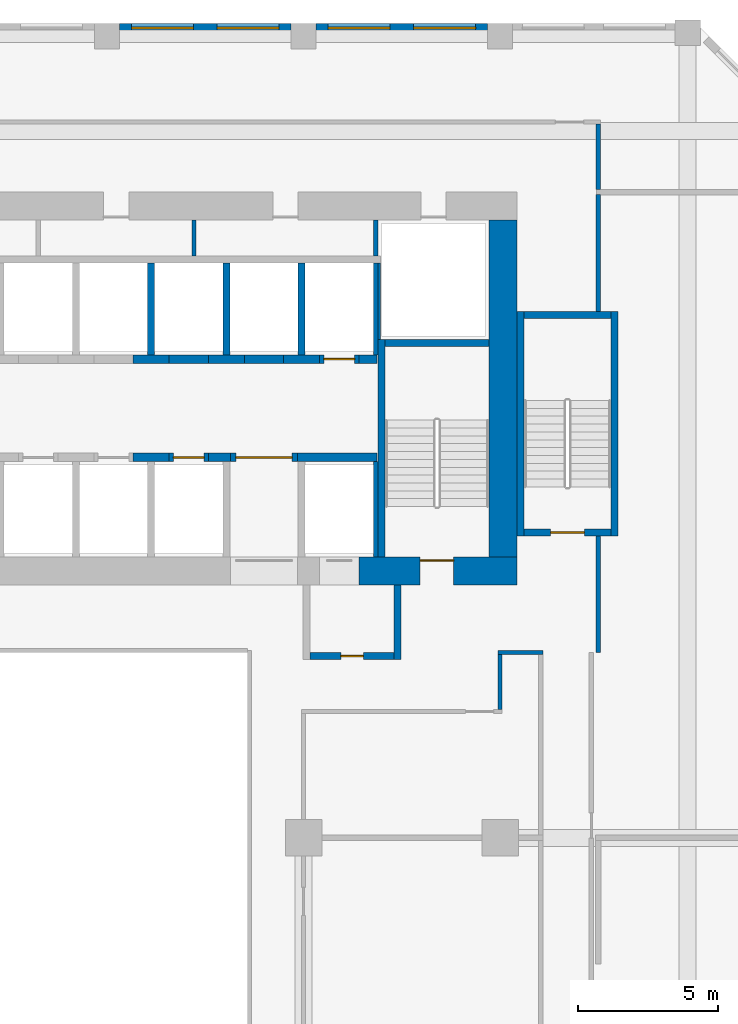
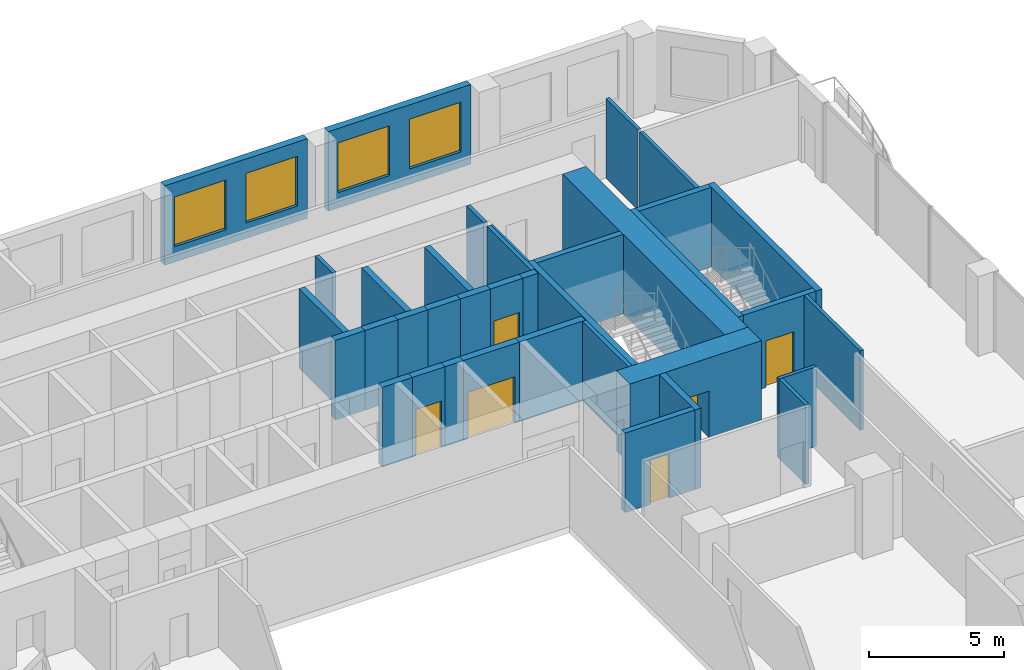
# One storey, part 17 of 23: 37 walls, 6 doors, 4 windows, 10 openings.
"""IFC4 building model written with IfcOpenShell, lengths in metres."""

from ifc_helpers import new_model, si_unit, direction, frame, frame_2d, origin, place, context, subcontext, project, spatial, rectangle, extrude, source, transform, mapped, material, layer, layer_set, type_object, element, fill, save


model = new_model("IFC4")

# Units and contexts
model_context = context("Model", 3, precision=1e-05, world=origin(), true_north=direction((0.0, 1.0)))
body_context = subcontext(model_context, "Body", "Model", "MODEL_VIEW")
ifc_project = project(units=[si_unit("LENGTHUNIT", "METRE"), si_unit("AREAUNIT", "SQUARE_METRE"), si_unit("VOLUMEUNIT", "CUBIC_METRE"), si_unit("PLANEANGLEUNIT", "RADIAN"), si_unit("MASSUNIT", "GRAM", prefix="KILO")], contexts=[model_context])

# Site, building, storey
site_placement = place(None, origin())
site = spatial("IfcSite", under=ifc_project, at=site_placement, CompositionType="ELEMENT")
building_placement = place(site_placement, origin())
building = spatial("IfcBuilding", under=site, at=building_placement, Name="Kilnfold Tower and Market Hall", CompositionType="ELEMENT")
storey_placement = place(building_placement, frame((0.0, 0.0, 55.0)))
storey = spatial("IfcBuildingStorey", under=building, at=storey_placement, Name="L12", CompositionType="ELEMENT", Elevation=55.0)

# Walls
ifc_material_1 = material(Name="Gypsum board on steel studs", Category="steel")
ifc_layer_1 = layer(ifc_material_1, 0.14990234375)
ifc_layer_set_1 = layer_set([ifc_layer_1], Name="Gypsum board on steel studs")
wall_type_1 = type_object("IfcWallType", Name="WALL CORRIDOR 150", PredefinedType="PARTITIONING", material=ifc_layer_set_1)
wall_1_placement = place(storey_placement, frame((17.425048828125, 5.60009765625, 0.0), z_axis=(0.0, 0.0, 1.0), x_axis=(1.0, 0.0, 0.0)))
element("IfcWall", 1, at=wall_1_placement, inside=storey, type_object=wall_type_1, Name="Partition LY10.34", PredefinedType="PARTITIONING", context=body_context, shape_type="SweptSolid", body=[
    extrude(rectangle(XDim=1.599853515625, YDim=0.14990234375, at=frame_2d((0.7998046875, 0.0))), origin(), (0.0, 0.0, 1.0), 3.60009765625),
])
wall_2_placement = place(storey_placement, frame((17.5, 3.574951171875, 0.0), z_axis=(0.0, 0.0, 1.0), x_axis=(0.0, 1.0, 0.0)))
element("IfcWall", 2, at=wall_2_placement, inside=storey, type_object=wall_type_1, Name="Partition LY10.35", PredefinedType="PARTITIONING", context=body_context, shape_type="SweptSolid", body=[
    extrude(rectangle(XDim=1.949951171875, YDim=0.14990234375, at=frame_2d((0.97509765625, 0.0))), origin(), (0.0, 0.0, 1.0), 3.60009765625),
])
wall_3_placement = place(storey_placement, frame((21.0, 17.75, 0.0), z_axis=(0.0, 0.0, 1.0), x_axis=(0.0, 1.0, 0.0)))
element("IfcWall", 3, at=wall_3_placement, inside=storey, type_object=wall_type_1, Name="Partition LY10.37", PredefinedType="PARTITIONING", context=body_context, shape_type="SweptSolid", body=[
    extrude(rectangle(XDim=4.159912109375, YDim=0.14990234375, at=frame_2d((2.080078125, 0.0))), origin(), (0.0, 0.0, 1.0), 3.60009765625),
])
wall_4_placement = place(storey_placement, frame((21.0, 5.60009765625, 0.0), z_axis=(0.0, 0.0, 1.0), x_axis=(0.0, 1.0, 0.0)))
element("IfcWall", 4, at=wall_4_placement, inside=storey, type_object=wall_type_1, Name="Partition LY10.38", PredefinedType="PARTITIONING", context=body_context, shape_type="SweptSolid", body=[
    extrude(rectangle(XDim=4.14990234375, YDim=0.14990234375, at=frame_2d((2.074951171875, 0.0))), origin(), (0.0, 0.0, 1.0), 3.60009765625),
])
wall_5_placement = place(storey_placement, frame((21.0, 22.090087890625, 0.0), z_axis=(0.0, 0.0, 1.0), x_axis=(0.0, 1.0, 0.0)))
element("IfcWall", 5, at=wall_5_placement, inside=storey, type_object=wall_type_1, Name="Partition LY10.39", PredefinedType="PARTITIONING", context=body_context, shape_type="SweptSolid", body=[
    extrude(rectangle(XDim=2.3349609375, YDim=0.14990234375, at=frame_2d((1.16748046875, 0.0))), origin(), (0.0, 0.0, 1.0), 3.60009765625),
])

# Wall, opening, door
ifc_material_2 = material(Name="Concrete C80", Category="concrete")
ifc_layer_2 = layer(ifc_material_2, 1.0)
ifc_layer_set_2 = layer_set([ifc_layer_2], Name="Concrete C80")
wall_type_2 = type_object("IfcWallType", Name="CORE WALL 1000 C80", PredefinedType="SHEAR", material=ifc_layer_set_2)
shared_shape_1 = source(origin(), body_context, "Body", "SweptSolid", [
    extrude(rectangle(XDim=5.630126953125, YDim=1.0, at=frame_2d((2.81494140625, 0.0))), origin(), (0.0, 0.0, 1.0), 3.60009765625),
])
wall_6_placement = place(storey_placement, frame((12.469970703125, 8.5, 0.0), z_axis=(0.0, 0.0, 1.0), x_axis=(1.0, 0.0, 0.0)))
wall_6 = element("IfcWall", 6, at=wall_6_placement, inside=storey, type_object=wall_type_2, Name="Core outer wall south", PredefinedType="SHEAR", context=body_context, shape_type="MappedRepresentation", body=[
    mapped(shared_shape_1, transform((0.0, 0.0, 0.0))),
])
opening_1_placement = place(wall_6_placement, frame((2.179931640625, 0.0, 0.0)))
opening_1 = element("IfcOpeningElement", 7, at=opening_1_placement, cuts=wall_6, Name="Opening SD1", PredefinedType="OPENING", context=body_context, shape_type="SweptSolid", body=[
    extrude(rectangle(XDim=1.199951171875, YDim=2.10009765625, at=frame_2d((0.60009765625, 1.050048828125))), frame((0.0, 0.510009765625, 0.0), z_axis=(0.0, -1.0, 0.0), x_axis=(1.0, 0.0, 0.0)), (0.0, 0.0, 1.0), 1.02001953125),
])
ifc_material_3 = material(Name="Steel door set with fire-resisting leaf", Category="steel")
door_type_1 = type_object("IfcDoorType", Name="STAIR FLOOR DOOR 1200X2100", OperationType="NOTDEFINED", PredefinedType="DOOR", material=ifc_material_3)
door_1_placement = place(opening_1_placement, origin())
door_1 = element("IfcDoor", 8, at=door_1_placement, inside=storey, type_object=door_type_1, Name="Exit stair ST2 door", OperationType="DOUBLE_DOOR_SINGLE_SWING", OverallHeight=2.10009765625, OverallWidth=1.199951171875, PredefinedType="DOOR", context=body_context, shape_type="SweptSolid", body=[
    extrude(rectangle(XDim=1.199951171875, YDim=2.10009765625, at=frame_2d((0.60009765625, 1.050048828125))), frame((0.0, 0.40478515625, 0.0), z_axis=(0.0, -1.0, 0.0), x_axis=(1.0, 0.0, 0.0)), (0.0, 0.0, 1.0), 0.050048828125),
])
fill(opening_1, door_1)

# Walls
shared_shape_2 = source(origin(), body_context, "Body", "SweptSolid", [
    extrude(rectangle(XDim=12.0, YDim=1.0, at=frame_2d((6.0, 0.0))), origin(), (0.0, 0.0, 1.0), 3.60009765625),
])
wall_7_placement = place(storey_placement, frame((17.60009765625, 9.0, 0.0), z_axis=(0.0, 0.0, 1.0), x_axis=(0.0, 1.0, 0.0)))
element("IfcWall", 9, at=wall_7_placement, inside=storey, type_object=wall_type_2, Name="Core outer wall east", PredefinedType="SHEAR", context=body_context, shape_type="MappedRepresentation", body=[
    mapped(shared_shape_2, transform((0.0, 0.0, 0.0))),
])
ifc_material_4 = material(Name="Concrete C80", Category="concrete")
ifc_layer_3 = layer(ifc_material_4, 0.25)
ifc_layer_set_3 = layer_set([ifc_layer_3], Name="Concrete C80")
wall_type_3 = type_object("IfcWallType", Name="CORE WALL 250 C80", PredefinedType="SHEAR", material=ifc_layer_set_3)
shared_shape_3 = source(origin(), body_context, "Body", "SweptSolid", [
    extrude(rectangle(XDim=7.75, YDim=0.25, at=frame_2d((3.875, 0.0))), origin(), (0.0, 0.0, 1.0), 3.60009765625),
])
wall_8_placement = place(storey_placement, frame((13.27490234375, 9.0, 0.0), z_axis=(0.0, 0.0, 1.0), x_axis=(0.0, 1.0, 0.0)))
element("IfcWall", 10, at=wall_8_placement, inside=storey, type_object=wall_type_3, Name="Stair enclosure ST2", PredefinedType="SHEAR", context=body_context, shape_type="MappedRepresentation", body=[
    mapped(shared_shape_3, transform((0.0, 0.0, 0.0))),
])
shared_shape_4 = source(origin(), body_context, "Body", "SweptSolid", [
    extrude(rectangle(XDim=3.7001953125, YDim=0.25, at=frame_2d((1.85009765625, 0.0))), origin(), (0.0, 0.0, 1.0), 3.60009765625),
])
wall_9_placement = place(storey_placement, frame((13.39990234375, 16.625, 0.0), z_axis=(0.0, 0.0, 1.0), x_axis=(1.0, 0.0, 0.0)))
element("IfcWall", 11, at=wall_9_placement, inside=storey, type_object=wall_type_3, Name="Stair enclosure ST2", PredefinedType="SHEAR", context=body_context, shape_type="MappedRepresentation", body=[
    mapped(shared_shape_4, transform((0.0, 0.0, 0.0))),
])
shared_shape_5 = source(origin(), body_context, "Body", "SweptSolid", [
    extrude(rectangle(XDim=8.0, YDim=0.25, at=frame_2d((4.0, 0.0))), origin(), (0.0, 0.0, 1.0), 3.60009765625),
])
for number, where, z_axis, x_axis, name in (
    (12, (18.22509765625, 9.75, 0.0), (0.0, 0.0, 1.0), (0.0, 1.0, 0.0), "Stair enclosure ST5"),
    (13, (21.574951171875, 9.75, 0.0), (0.0, 0.0, 1.0), (0.0, 1.0, 0.0), "Stair enclosure ST5"),
):
    element("IfcWall", number, at=place(storey_placement, frame(where, z_axis=z_axis, x_axis=x_axis)), inside=storey, type_object=wall_type_3, Name=name, PredefinedType="SHEAR", context=body_context, shape_type="MappedRepresentation", body=[
        mapped(shared_shape_5, transform((0.0, 0.0, 0.0))),
    ])

# Wall, opening, door
shared_shape_6 = source(origin(), body_context, "Body", "SweptSolid", [
    extrude(rectangle(XDim=3.099853515625, YDim=0.25, at=frame_2d((1.5498046875, 0.0))), origin(), (0.0, 0.0, 1.0), 3.60009765625),
])
wall_10_placement = place(storey_placement, frame((18.35009765625, 9.875, 0.0), z_axis=(0.0, 0.0, 1.0), x_axis=(1.0, 0.0, 0.0)))
wall_10 = element("IfcWall", 14, at=wall_10_placement, inside=storey, type_object=wall_type_3, Name="Stair enclosure ST5", PredefinedType="SHEAR", context=body_context, shape_type="MappedRepresentation", body=[
    mapped(shared_shape_6, transform((0.0, 0.0, 0.0))),
])
opening_2_placement = place(wall_10_placement, frame((0.949951171875, 0.0, 0.0)))
opening_2 = element("IfcOpeningElement", 15, at=opening_2_placement, cuts=wall_10, Name="Opening SD1", PredefinedType="OPENING", context=body_context, shape_type="SweptSolid", body=[
    extrude(rectangle(XDim=1.199951171875, YDim=2.10009765625, at=frame_2d((0.60009765625, 1.050048828125))), frame((0.0, 0.135009765625, 0.0), z_axis=(0.0, -1.0, 0.0), x_axis=(1.0, 0.0, 0.0)), (0.0, 0.0, 1.0), 0.27001953125),
])
door_2_placement = place(opening_2_placement, origin())
door_2 = element("IfcDoor", 16, at=door_2_placement, inside=storey, type_object=door_type_1, Name="Exit stair ST5 door", OperationType="DOUBLE_DOOR_SINGLE_SWING", OverallHeight=2.10009765625, OverallWidth=1.199951171875, PredefinedType="DOOR", context=body_context, shape_type="SweptSolid", body=[
    extrude(rectangle(XDim=1.199951171875, YDim=2.10009765625, at=frame_2d((0.60009765625, 1.050048828125))), frame((0.0, 0.02490234375, 0.0), z_axis=(0.0, -1.0, 0.0), x_axis=(1.0, 0.0, 0.0)), (0.0, 0.0, 1.0), 0.050048828125),
])
fill(opening_2, door_2)

# Walls
wall_11_placement = place(storey_placement, frame((18.35009765625, 17.625, 0.0), z_axis=(0.0, 0.0, 1.0), x_axis=(1.0, 0.0, 0.0)))
element("IfcWall", 17, at=wall_11_placement, inside=storey, type_object=wall_type_3, Name="Stair enclosure ST5", PredefinedType="SHEAR", context=body_context, shape_type="MappedRepresentation", body=[
    mapped(shared_shape_6, transform((0.0, 0.0, 0.0))),
])
ifc_material_5 = material(Name="Concrete C80", Category="concrete")
ifc_layer_4 = layer(ifc_material_5, 0.300048828125)
ifc_layer_set_4 = layer_set([ifc_layer_4], Name="Concrete C80")
wall_type_4 = type_object("IfcWallType", Name="CORE WALL 300 C80", PredefinedType="SHEAR", material=ifc_layer_set_4)
shared_shape_7 = source(origin(), body_context, "Body", "SweptSolid", [
    extrude(rectangle(XDim=1.280029296875, YDim=0.300048828125, at=frame_2d((0.64013671875, 0.0))), origin(), (0.0, 0.0, 1.0), 3.60009765625),
])
for number, where, z_axis, x_axis, name in (
    (18, (4.429931640625, 12.550048828125, 0.0), (0.0, 0.0, 1.0), (1.0, 0.0, 0.0), "Core spine wall"),
    (19, (4.429931640625, 16.050048828125, 0.0), (0.0, 0.0, 1.0), (1.0, 0.0, 0.0), "Core spine wall"),
    (20, (9.7900390625, 16.050048828125, 0.0), (0.0, 0.0, 1.0), (1.0, 0.0, 0.0), "Core spine wall"),
):
    element("IfcWall", number, at=place(storey_placement, frame(where, z_axis=z_axis, x_axis=x_axis)), inside=storey, type_object=wall_type_4, Name=name, PredefinedType="SHEAR", context=body_context, shape_type="MappedRepresentation", body=[
        mapped(shared_shape_7, transform((0.0, 0.0, 0.0))),
    ])
shared_shape_8 = source(origin(), body_context, "Body", "SweptSolid", [
    extrude(rectangle(XDim=0.77978515625, YDim=0.300048828125, at=frame_2d((0.389892578125, 0.0))), origin(), (0.0, 0.0, 1.0), 3.60009765625),
])
wall_12_placement = place(storey_placement, frame((7.110107421875, 12.550048828125, 0.0), z_axis=(0.0, 0.0, 1.0), x_axis=(1.0, 0.0, 0.0)))
element("IfcWall", 21, at=wall_12_placement, inside=storey, type_object=wall_type_4, Name="Core spine wall", PredefinedType="SHEAR", context=body_context, shape_type="MappedRepresentation", body=[
    mapped(shared_shape_8, transform((0.0, 0.0, 0.0))),
])
shared_shape_9 = source(origin(), body_context, "Body", "SweptSolid", [
    extrude(rectangle(XDim=2.820068359375, YDim=0.300048828125, at=frame_2d((1.41015625, 0.0))), origin(), (0.0, 0.0, 1.0), 3.60009765625),
])
wall_13_placement = place(storey_placement, frame((10.2900390625, 12.550048828125, 0.0), z_axis=(0.0, 0.0, 1.0), x_axis=(1.0, 0.0, 0.0)))
element("IfcWall", 22, at=wall_13_placement, inside=storey, type_object=wall_type_4, Name="Core spine wall", PredefinedType="SHEAR", context=body_context, shape_type="MappedRepresentation", body=[
    mapped(shared_shape_9, transform((0.0, 0.0, 0.0))),
])
shared_shape_10 = source(origin(), body_context, "Body", "SweptSolid", [
    extrude(rectangle(XDim=1.27978515625, YDim=0.300048828125, at=frame_2d((0.639892578125, 0.0))), origin(), (0.0, 0.0, 1.0), 3.60009765625),
])
wall_14_placement = place(storey_placement, frame((7.110107421875, 16.050048828125, 0.0), z_axis=(0.0, 0.0, 1.0), x_axis=(1.0, 0.0, 0.0)))
element("IfcWall", 23, at=wall_14_placement, inside=storey, type_object=wall_type_4, Name="Core spine wall", PredefinedType="SHEAR", context=body_context, shape_type="MappedRepresentation", body=[
    mapped(shared_shape_10, transform((0.0, 0.0, 0.0))),
])
shared_shape_11 = source(origin(), body_context, "Body", "SweptSolid", [
    extrude(rectangle(XDim=0.64013671875, YDim=0.300048828125, at=frame_2d((0.320068359375, 0.0))), origin(), (0.0, 0.0, 1.0), 3.60009765625),
])
wall_15_placement = place(storey_placement, frame((12.469970703125, 16.050048828125, 0.0), z_axis=(0.0, 0.0, 1.0), x_axis=(1.0, 0.0, 0.0)))
element("IfcWall", 24, at=wall_15_placement, inside=storey, type_object=wall_type_4, Name="Core spine wall", PredefinedType="SHEAR", context=body_context, shape_type="MappedRepresentation", body=[
    mapped(shared_shape_11, transform((0.0, 0.0, 0.0))),
])

# Wall, openings, windows
ifc_material_6 = material(Name="Precast concrete C50/60", Category="concrete")
ifc_layer_5 = layer(ifc_material_6, 0.300048828125)
ifc_layer_set_5 = layer_set([ifc_layer_5], Name="Precast concrete C50/60")
wall_type_5 = type_object("IfcWallType", Name="PRECAST WALL 300", PredefinedType="SOLIDWALL", material=ifc_layer_set_5)
shared_shape_12 = source(origin(), body_context, "Body", "SweptSolid", [
    extrude(rectangle(XDim=6.10009765625, YDim=0.300048828125, at=frame_2d((3.050048828125, 0.0))), origin(), (0.0, 0.0, 1.0), 3.60009765625),
])
wall_16_placement = place(storey_placement, frame((17.050048828125, 27.85009765625, 0.0), z_axis=(0.0, 0.0, 1.0), x_axis=(-1.0, 0.0, 0.0)))
wall_16 = element("IfcWall", 25, at=wall_16_placement, inside=storey, type_object=wall_type_5, Name="External wall L12 N", PredefinedType="SOLIDWALL", context=body_context, shape_type="MappedRepresentation", body=[
    mapped(shared_shape_12, transform((0.0, 0.0, 0.0))),
])
opening_3_placement = place(wall_16_placement, frame((0.425048828125, 0.0, 0.699951171875)))
opening_3 = element("IfcOpeningElement", 26, at=opening_3_placement, cuts=wall_16, Name="Opening W1", PredefinedType="OPENING", context=body_context, shape_type="SweptSolid", body=[
    extrude(rectangle(XDim=2.199951171875, YDim=2.25, at=frame_2d((1.10009765625, 1.125))), frame((0.0, 0.16015625, 0.0), z_axis=(0.0, -1.0, 0.0), x_axis=(1.0, 0.0, 0.0)), (0.0, 0.0, 1.0), 0.320068359375),
])
opening_4_placement = place(wall_16_placement, frame((3.47509765625, 0.0, 0.699951171875)))
opening_4 = element("IfcOpeningElement", 27, at=opening_4_placement, cuts=wall_16, Name="Opening W1", PredefinedType="OPENING", context=body_context, shape_type="SweptSolid", body=[
    extrude(rectangle(XDim=2.199951171875, YDim=2.25, at=frame_2d((1.10009765625, 1.125))), frame((0.0, 0.16015625, 0.0), z_axis=(0.0, -1.0, 0.0), x_axis=(1.0, 0.0, 0.0)), (0.0, 0.0, 1.0), 0.320068359375),
])
ifc_material_7 = material(Name="Aluminium frame and double glazing", Category="aluminium")
window_type = type_object("IfcWindowType", Name="WINDOW W1 2200X2250", PartitioningType="SINGLE_PANEL", PredefinedType="WINDOW", material=ifc_material_7)
window_1_placement = place(opening_3_placement, origin())
window_1 = element("IfcWindow", 28, at=window_1_placement, inside=storey, type_object=window_type, Name="Window W1 L12 N-1", OverallHeight=2.25, OverallWidth=2.199951171875, PartitioningType="SINGLE_PANEL", PredefinedType="WINDOW", context=body_context, shape_type="SweptSolid", body=[
    extrude(rectangle(XDim=2.199951171875, YDim=2.25, at=frame_2d((1.10009765625, 1.125))), frame((0.0, 0.030029296875, 0.0), z_axis=(0.0, -1.0, 0.0), x_axis=(1.0, 0.0, 0.0)), (0.0, 0.0, 1.0), 0.06005859375),
])
fill(opening_3, window_1)
window_2_placement = place(opening_4_placement, origin())
window_2 = element("IfcWindow", 29, at=window_2_placement, inside=storey, type_object=window_type, Name="Window W1 L12 N-2", OverallHeight=2.25, OverallWidth=2.199951171875, PartitioningType="SINGLE_PANEL", PredefinedType="WINDOW", context=body_context, shape_type="SweptSolid", body=[
    extrude(rectangle(XDim=2.199951171875, YDim=2.25, at=frame_2d((1.10009765625, 1.125))), frame((0.0, 0.030029296875, 0.0), z_axis=(0.0, -1.0, 0.0), x_axis=(1.0, 0.0, 0.0)), (0.0, 0.0, 1.0), 0.06005859375),
])
fill(opening_4, window_2)

wall_17_placement = place(storey_placement, frame((10.050048828125, 27.85009765625, 0.0), z_axis=(0.0, 0.0, 1.0), x_axis=(-1.0, 0.0, 0.0)))
wall_17 = element("IfcWall", 30, at=wall_17_placement, inside=storey, type_object=wall_type_5, Name="External wall L12 N", PredefinedType="SOLIDWALL", context=body_context, shape_type="MappedRepresentation", body=[
    mapped(shared_shape_12, transform((0.0, 0.0, 0.0))),
])
opening_5_placement = place(wall_17_placement, frame((0.425048828125, 0.0, 0.699951171875)))
opening_5 = element("IfcOpeningElement", 31, at=opening_5_placement, cuts=wall_17, Name="Opening W1", PredefinedType="OPENING", context=body_context, shape_type="SweptSolid", body=[
    extrude(rectangle(XDim=2.199951171875, YDim=2.25, at=frame_2d((1.10009765625, 1.125))), frame((0.0, 0.16015625, 0.0), z_axis=(0.0, -1.0, 0.0), x_axis=(1.0, 0.0, 0.0)), (0.0, 0.0, 1.0), 0.320068359375),
])
opening_6_placement = place(wall_17_placement, frame((3.47509765625, 0.0, 0.699951171875)))
opening_6 = element("IfcOpeningElement", 32, at=opening_6_placement, cuts=wall_17, Name="Opening W1", PredefinedType="OPENING", context=body_context, shape_type="SweptSolid", body=[
    extrude(rectangle(XDim=2.199951171875, YDim=2.25, at=frame_2d((1.10009765625, 1.125))), frame((0.0, 0.16015625, 0.0), z_axis=(0.0, -1.0, 0.0), x_axis=(1.0, 0.0, 0.0)), (0.0, 0.0, 1.0), 0.320068359375),
])
window_3_placement = place(opening_5_placement, origin())
window_3 = element("IfcWindow", 33, at=window_3_placement, inside=storey, type_object=window_type, Name="Window W1 L12 N-1", OverallHeight=2.25, OverallWidth=2.199951171875, PartitioningType="SINGLE_PANEL", PredefinedType="WINDOW", context=body_context, shape_type="SweptSolid", body=[
    extrude(rectangle(XDim=2.199951171875, YDim=2.25, at=frame_2d((1.10009765625, 1.125))), frame((0.0, 0.030029296875, 0.0), z_axis=(0.0, -1.0, 0.0), x_axis=(1.0, 0.0, 0.0)), (0.0, 0.0, 1.0), 0.06005859375),
])
fill(opening_5, window_3)
window_4_placement = place(opening_6_placement, origin())
window_4 = element("IfcWindow", 34, at=window_4_placement, inside=storey, type_object=window_type, Name="Window W1 L12 N-2", OverallHeight=2.25, OverallWidth=2.199951171875, PartitioningType="SINGLE_PANEL", PredefinedType="WINDOW", context=body_context, shape_type="SweptSolid", body=[
    extrude(rectangle(XDim=2.199951171875, YDim=2.25, at=frame_2d((1.10009765625, 1.125))), frame((0.0, 0.030029296875, 0.0), z_axis=(0.0, -1.0, 0.0), x_axis=(1.0, 0.0, 0.0)), (0.0, 0.0, 1.0), 0.06005859375),
])
fill(opening_6, window_4)

# Wall, opening, door
ifc_material_8 = material(Name="Gypsum shaft wall system")
ifc_layer_6 = layer(ifc_material_8, 0.300048828125)
ifc_layer_set_6 = layer_set([ifc_layer_6], Name="Gypsum shaft wall system")
wall_type_6 = type_object("IfcWallType", Name="SHAFT WALL 300", PredefinedType="PARTITIONING", material=ifc_layer_set_6)
shared_shape_13 = source(origin(), body_context, "Body", "SweptSolid", [
    extrude(rectangle(XDim=1.39990234375, YDim=0.300048828125, at=frame_2d((0.699951171875, 0.0))), origin(), (0.0, 0.0, 1.0), 3.60009765625),
])
wall_18_placement = place(storey_placement, frame((11.070068359375, 16.050048828125, 0.0), z_axis=(0.0, 0.0, 1.0), x_axis=(1.0, 0.0, 0.0)))
wall_18 = element("IfcWall", 35, at=wall_18_placement, inside=storey, type_object=wall_type_6, Name="Lift shaft front wall", PredefinedType="PARTITIONING", context=body_context, shape_type="MappedRepresentation", body=[
    mapped(shared_shape_13, transform((0.0, 0.0, 0.0))),
])
opening_7_placement = place(wall_18_placement, frame((0.14990234375, 0.0, 0.0)))
opening_7 = element("IfcOpeningElement", 36, at=opening_7_placement, cuts=wall_18, Name="Opening LD2", PredefinedType="OPENING", context=body_context, shape_type="SweptSolid", body=[
    extrude(rectangle(XDim=1.10009765625, YDim=2.10009765625, at=frame_2d((0.550048828125, 1.050048828125))), frame((0.0, 0.16015625, 0.0), z_axis=(0.0, -1.0, 0.0), x_axis=(1.0, 0.0, 0.0)), (0.0, 0.0, 1.0), 0.320068359375),
])
ifc_material_9 = material(Name="Steel door set with fire-resisting leaf", Category="steel")
door_type_2 = type_object("IfcDoorType", Name="LANDING DOOR 1100X2100", OperationType="NOTDEFINED", PredefinedType="DOOR", material=ifc_material_9)
door_3_placement = place(opening_7_placement, origin())
door_3 = element("IfcDoor", 37, at=door_3_placement, inside=storey, type_object=door_type_2, Name="Landing door LR6", OperationType="DOUBLE_DOOR_SLIDING", OverallHeight=2.10009765625, OverallWidth=1.10009765625, PredefinedType="DOOR", context=body_context, shape_type="SweptSolid", body=[
    extrude(rectangle(XDim=1.10009765625, YDim=2.10009765625, at=frame_2d((0.550048828125, 1.050048828125))), frame((0.0, 0.02490234375, 0.0), z_axis=(0.0, -1.0, 0.0), x_axis=(1.0, 0.0, 0.0)), (0.0, 0.0, 1.0), 0.050048828125),
])
fill(opening_7, door_3)

shared_shape_14 = source(origin(), body_context, "Body", "SweptSolid", [
    extrude(rectangle(XDim=1.400146484375, YDim=0.300048828125, at=frame_2d((0.7001953125, 0.0))), origin(), (0.0, 0.0, 1.0), 3.60009765625),
])
wall_19_placement = place(storey_placement, frame((5.7099609375, 12.550048828125, 0.0), z_axis=(0.0, 0.0, 1.0), x_axis=(1.0, 0.0, 0.0)))
wall_19 = element("IfcWall", 38, at=wall_19_placement, inside=storey, type_object=wall_type_6, Name="Lift shaft front wall", PredefinedType="PARTITIONING", context=body_context, shape_type="MappedRepresentation", body=[
    mapped(shared_shape_14, transform((0.0, 0.0, 0.0))),
])
opening_8_placement = place(wall_19_placement, frame((0.14990234375, 0.0, 0.0)))
opening_8 = element("IfcOpeningElement", 39, at=opening_8_placement, cuts=wall_19, Name="Opening LD2", PredefinedType="OPENING", context=body_context, shape_type="SweptSolid", body=[
    extrude(rectangle(XDim=1.10009765625, YDim=2.10009765625, at=frame_2d((0.550048828125, 1.050048828125))), frame((0.0, 0.16015625, 0.0), z_axis=(0.0, -1.0, 0.0), x_axis=(1.0, 0.0, 0.0)), (0.0, 0.0, 1.0), 0.320068359375),
])
door_4_placement = place(opening_8_placement, origin())
door_4 = element("IfcDoor", 40, at=door_4_placement, inside=storey, type_object=door_type_2, Name="Landing door LR5", OperationType="DOUBLE_DOOR_SLIDING", OverallHeight=2.10009765625, OverallWidth=1.10009765625, PredefinedType="DOOR", context=body_context, shape_type="SweptSolid", body=[
    extrude(rectangle(XDim=1.10009765625, YDim=2.10009765625, at=frame_2d((0.550048828125, 1.050048828125))), frame((0.0, 0.02490234375, 0.0), z_axis=(0.0, -1.0, 0.0), x_axis=(1.0, 0.0, 0.0)), (0.0, 0.0, 1.0), 0.050048828125),
])
fill(opening_8, door_4)

# Walls
for number, where, z_axis, x_axis, name in (
    (41, (5.7099609375, 16.050048828125, 0.0), (0.0, 0.0, 1.0), (1.0, 0.0, 0.0), "Lift shaft front wall"),
    (42, (8.389892578125, 16.050048828125, 0.0), (0.0, 0.0, 1.0), (1.0, 0.0, 0.0), "Lift shaft front wall"),
):
    element("IfcWall", number, at=place(storey_placement, frame(where, z_axis=z_axis, x_axis=x_axis)), inside=storey, type_object=wall_type_6, Name=name, PredefinedType="PARTITIONING", context=body_context, shape_type="MappedRepresentation", body=[
        mapped(shared_shape_14, transform((0.0, 0.0, 0.0))),
    ])

# Wall, opening, door
shared_shape_15 = source(origin(), body_context, "Body", "SweptSolid", [
    extrude(rectangle(XDim=2.400146484375, YDim=0.300048828125, at=frame_2d((1.2001953125, 0.0))), origin(), (0.0, 0.0, 1.0), 3.60009765625),
])
wall_20_placement = place(storey_placement, frame((7.889892578125, 12.550048828125, 0.0), z_axis=(0.0, 0.0, 1.0), x_axis=(1.0, 0.0, 0.0)))
wall_20 = element("IfcWall", 43, at=wall_20_placement, inside=storey, type_object=wall_type_6, Name="Lift shaft front wall", PredefinedType="PARTITIONING", context=body_context, shape_type="MappedRepresentation", body=[
    mapped(shared_shape_15, transform((0.0, 0.0, 0.0))),
])
opening_9_placement = place(wall_20_placement, frame((0.199951171875, 0.0, 0.0)))
opening_9 = element("IfcOpeningElement", 44, at=opening_9_placement, cuts=wall_20, Name="Opening VD2", PredefinedType="OPENING", context=body_context, shape_type="SweptSolid", body=[
    extrude(rectangle(XDim=2.0, YDim=2.10009765625, at=frame_2d((1.0, 1.050048828125))), frame((0.0, 0.16015625, 0.0), z_axis=(0.0, -1.0, 0.0), x_axis=(1.0, 0.0, 0.0)), (0.0, 0.0, 1.0), 0.320068359375),
])
ifc_material_10 = material(Name="Steel door set with fire-resisting leaf", Category="steel")
door_type_3 = type_object("IfcDoorType", Name="LIFT LOBBY ENTRANCE DOOR 2000X2100", OperationType="NOTDEFINED", PredefinedType="DOOR", material=ifc_material_10)
door_5_placement = place(opening_9_placement, origin())
door_5 = element("IfcDoor", 45, at=door_5_placement, inside=storey, type_object=door_type_3, Name="Lift lobby entrance door", OperationType="DOUBLE_DOOR_SINGLE_SWING", OverallHeight=2.10009765625, OverallWidth=2.0, PredefinedType="DOOR", context=body_context, shape_type="SweptSolid", body=[
    extrude(rectangle(XDim=2.0, YDim=2.10009765625, at=frame_2d((1.0, 1.050048828125))), frame((0.0, 0.02490234375, 0.0), z_axis=(0.0, -1.0, 0.0), x_axis=(1.0, 0.0, 0.0)), (0.0, 0.0, 1.0), 0.050048828125),
])
fill(opening_9, door_5)

# Wall
ifc_material_11 = material(Name="Gypsum shaft wall system")
ifc_layer_7 = layer(ifc_material_11, 0.25)
ifc_layer_set_7 = layer_set([ifc_layer_7], Name="Gypsum shaft wall system")
wall_type_7 = type_object("IfcWallType", Name="LOBBY WALL 250", PredefinedType="PARTITIONING", material=ifc_layer_set_7)
shared_shape_16 = source(origin(), body_context, "Body", "SweptSolid", [
    extrude(rectangle(XDim=2.64990234375, YDim=0.25, at=frame_2d((1.324951171875, 0.0))), origin(), (0.0, 0.0, 1.0), 3.60009765625),
])
wall_21_placement = place(storey_placement, frame((13.85498046875, 5.35009765625, 0.0), z_axis=(0.0, 0.0, 1.0), x_axis=(0.0, 1.0, 0.0)))
element("IfcWall", 46, at=wall_21_placement, inside=storey, type_object=wall_type_7, Name="Firefighting lobby wall", PredefinedType="PARTITIONING", context=body_context, shape_type="MappedRepresentation", body=[
    mapped(shared_shape_16, transform((0.0, 0.0, 0.0))),
])

# Wall, opening, door
shared_shape_17 = source(origin(), body_context, "Body", "SweptSolid", [
    extrude(rectangle(XDim=3.0, YDim=0.25, at=frame_2d((1.5, 0.0))), origin(), (0.0, 0.0, 1.0), 3.60009765625),
])
wall_22_placement = place(storey_placement, frame((10.72998046875, 5.47509765625, 0.0), z_axis=(0.0, 0.0, 1.0), x_axis=(1.0, 0.0, 0.0)))
wall_22 = element("IfcWall", 47, at=wall_22_placement, inside=storey, type_object=wall_type_7, Name="Firefighting lobby wall", PredefinedType="PARTITIONING", context=body_context, shape_type="MappedRepresentation", body=[
    mapped(shared_shape_17, transform((0.0, 0.0, 0.0))),
])
opening_10_placement = place(wall_22_placement, frame((1.10009765625, 0.0, 0.0)))
opening_10 = element("IfcOpeningElement", 48, at=opening_10_placement, cuts=wall_22, Name="Opening VD1", PredefinedType="OPENING", context=body_context, shape_type="SweptSolid", body=[
    extrude(rectangle(XDim=0.800048828125, YDim=2.0, at=frame_2d((0.39990234375, 1.0))), frame((0.0, 0.135009765625, 0.0), z_axis=(0.0, -1.0, 0.0), x_axis=(1.0, 0.0, 0.0)), (0.0, 0.0, 1.0), 0.27001953125),
])
ifc_material_12 = material(Name="Steel door set with fire-resisting leaf", Category="steel")
door_type_4 = type_object("IfcDoorType", Name="FIREFIGHTING LOBBY DOOR 800X2000", OperationType="NOTDEFINED", PredefinedType="DOOR", material=ifc_material_12)
door_6_placement = place(opening_10_placement, origin())
door_6 = element("IfcDoor", 49, at=door_6_placement, inside=storey, type_object=door_type_4, Name="Firefighting lobby door", OperationType="SINGLE_SWING_RIGHT", OverallHeight=2.0, OverallWidth=0.800048828125, PredefinedType="DOOR", context=body_context, shape_type="SweptSolid", body=[
    extrude(rectangle(XDim=0.800048828125, YDim=2.0, at=frame_2d((0.39990234375, 1.0))), frame((0.0, 0.02490234375, 0.0), z_axis=(0.0, -1.0, 0.0), x_axis=(1.0, 0.0, 0.0)), (0.0, 0.0, 1.0), 0.050048828125),
])
fill(opening_10, door_6)

# Walls
ifc_material_13 = material(Name="Gypsum shaft wall system")
ifc_layer_8 = layer(ifc_material_13, 0.1650390625)
ifc_layer_set_8 = layer_set([ifc_layer_8], Name="Gypsum shaft wall system")
wall_type_8 = type_object("IfcWallType", Name="SHAFT WALL 165", PredefinedType="PARTITIONING", material=ifc_layer_set_8)
shared_shape_18 = source(origin(), body_context, "Body", "SweptSolid", [
    extrude(rectangle(XDim=3.275146484375, YDim=0.1650390625, at=frame_2d((1.6376953125, 0.0))), origin(), (0.0, 0.0, 1.0), 3.60009765625),
])
wall_23_placement = place(storey_placement, frame((13.0673828125, 16.199951171875, 0.0), z_axis=(0.0, 0.0, 1.0), x_axis=(0.0, 1.0, 0.0)))
element("IfcWall", 50, at=wall_23_placement, inside=storey, type_object=wall_type_8, Name="Lift shaft wall", PredefinedType="PARTITIONING", context=body_context, shape_type="MappedRepresentation", body=[
    mapped(shared_shape_18, transform((0.0, 0.0, 0.0))),
])
shared_shape_19 = source(origin(), body_context, "Body", "SweptSolid", [
    extrude(rectangle(XDim=1.27490234375, YDim=0.1650390625, at=frame_2d((0.637451171875, 0.0))), origin(), (0.0, 0.0, 1.0), 3.60009765625),
])
wall_24_placement = place(storey_placement, frame((13.0673828125, 19.72509765625, 0.0), z_axis=(0.0, 0.0, 1.0), x_axis=(0.0, 1.0, 0.0)))
element("IfcWall", 51, at=wall_24_placement, inside=storey, type_object=wall_type_8, Name="Lift shaft wall", PredefinedType="PARTITIONING", context=body_context, shape_type="MappedRepresentation", body=[
    mapped(shared_shape_19, transform((0.0, 0.0, 0.0))),
])
ifc_material_14 = material(Name="Gypsum shaft wall system")
ifc_layer_9 = layer(ifc_material_14, 0.25)
ifc_layer_set_9 = layer_set([ifc_layer_9], Name="Gypsum shaft wall system")
wall_type_9 = type_object("IfcWallType", Name="SHAFT WALL 250", PredefinedType="PARTITIONING", material=ifc_layer_set_9)
shared_shape_20 = source(origin(), body_context, "Body", "SweptSolid", [
    extrude(rectangle(XDim=3.275146484375, YDim=0.25, at=frame_2d((1.6376953125, 0.0))), origin(), (0.0, 0.0, 1.0), 3.60009765625),
])
for number, where, z_axis, x_axis, name in (
    (52, (10.429931640625, 16.199951171875, 0.0), (0.0, 0.0, 1.0), (0.0, 1.0, 0.0), "Lift shaft wall"),
    (53, (5.070068359375, 16.199951171875, 0.0), (0.0, 0.0, 1.0), (0.0, 1.0, 0.0), "Lift shaft wall"),
    (54, (7.75, 16.199951171875, 0.0), (0.0, 0.0, 1.0), (0.0, 1.0, 0.0), "Lift shaft wall"),
):
    element("IfcWall", number, at=place(storey_placement, frame(where, z_axis=z_axis, x_axis=x_axis)), inside=storey, type_object=wall_type_9, Name=name, PredefinedType="PARTITIONING", context=body_context, shape_type="MappedRepresentation", body=[
        mapped(shared_shape_20, transform((0.0, 0.0, 0.0))),
    ])
ifc_material_15 = material(Name="Gypsum shaft wall system")
ifc_layer_10 = layer(ifc_material_15, 0.0849609375)
ifc_layer_set_10 = layer_set([ifc_layer_10], Name="Gypsum shaft wall system")
wall_type_10 = type_object("IfcWallType", Name="SHAFT WALL 85", PredefinedType="PARTITIONING", material=ifc_layer_set_10)
shared_shape_21 = source(origin(), body_context, "Body", "SweptSolid", [
    extrude(rectangle(XDim=2.72509765625, YDim=0.0849609375, at=frame_2d((1.362548828125, 0.0))), origin(), (0.0, 0.0, 1.0), 3.60009765625),
])
wall_25_placement = place(storey_placement, frame((13.1923828125, 16.75, 0.0), z_axis=(0.0, 0.0, 1.0), x_axis=(0.0, 1.0, 0.0)))
element("IfcWall", 55, at=wall_25_placement, inside=storey, type_object=wall_type_10, Name="Lift shaft wall", PredefinedType="PARTITIONING", context=body_context, shape_type="MappedRepresentation", body=[
    mapped(shared_shape_21, transform((0.0, 0.0, 0.0))),
])
shared_shape_22 = source(origin(), body_context, "Body", "SweptSolid", [
    extrude(rectangle(XDim=3.39990234375, YDim=0.1650390625, at=frame_2d((1.699951171875, 0.0))), origin(), (0.0, 0.0, 1.0), 3.60009765625),
])
wall_26_placement = place(storey_placement, frame((13.0673828125, 9.0, 0.0), z_axis=(0.0, 0.0, 1.0), x_axis=(0.0, 1.0, 0.0)))
element("IfcWall", 56, at=wall_26_placement, inside=storey, type_object=wall_type_8, Name="Lift shaft wall", PredefinedType="PARTITIONING", context=body_context, shape_type="MappedRepresentation", body=[
    mapped(shared_shape_22, transform((0.0, 0.0, 0.0))),
])
ifc_material_16 = material(Name="Gypsum shaft wall system")
ifc_layer_11 = layer(ifc_material_16, 0.14990234375)
ifc_layer_set_11 = layer_set([ifc_layer_11], Name="Gypsum shaft wall system")
wall_type_11 = type_object("IfcWallType", Name="ROOM WALL 150", PredefinedType="PARTITIONING", material=ifc_layer_set_11)
shared_shape_23 = source(origin(), body_context, "Body", "SweptSolid", [
    extrude(rectangle(XDim=1.27490234375, YDim=0.14990234375, at=frame_2d((0.637451171875, 0.0))), origin(), (0.0, 0.0, 1.0), 3.60009765625),
])
wall_27_placement = place(storey_placement, frame((6.59765625, 19.72509765625, 0.0), z_axis=(0.0, 0.0, 1.0), x_axis=(0.0, 1.0, 0.0)))
element("IfcWall", 57, at=wall_27_placement, inside=storey, type_object=wall_type_11, Name="Core room wall", PredefinedType="PARTITIONING", context=body_context, shape_type="MappedRepresentation", body=[
    mapped(shared_shape_23, transform((0.0, 0.0, 0.0))),
])

save(model, "model.ifc")
